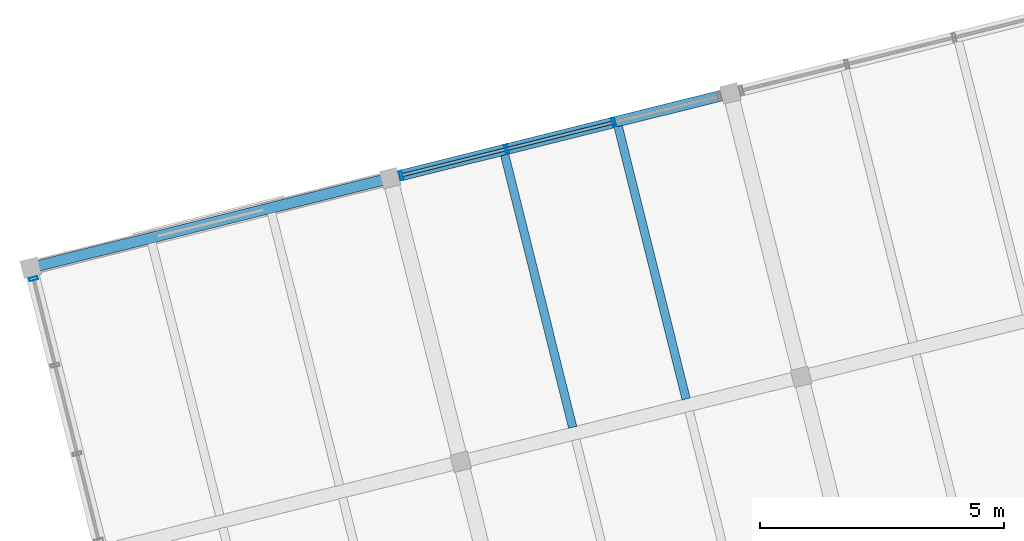
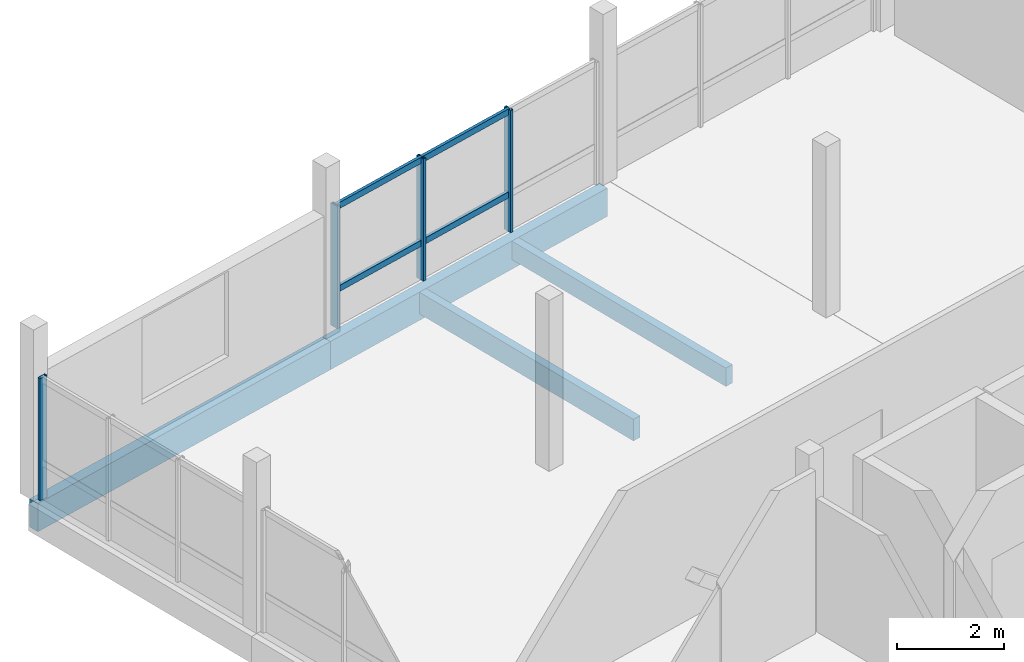
# One storey, part 17 of 28: 8 members, 4 beams, 2 elements without a shape of their own.
"""IFC4 building model written with IfcOpenShell, lengths in metres."""

import ifcopenshell
import ifcopenshell.guid

model = None  # the IFC model being written
_history = None  # IfcOwnerHistory: only IFC2X3 demands one
_inside = {}  # id of a spatial element -> (the spatial element, [elements in it])
_under = {}  # id of a project, library or spatial element -> (it, [spatial elements below it])
_declared = {}  # id of a project -> (the project, [libraries it declares])
_typed = {}  # id of a type object -> (the type object, [elements of that type])
_made_of = {}  # id of a material, layer set ... -> (it, [elements and type objects made of it])


def new_model(schema):
    """Start an empty IFC model of exactly this schema.

    Asked for "IFC4X3", IfcOpenShell would pick the latest addendum, in which some entities
    have other attributes; the version numbers below select the first issue.
    IFC2X3 requires an IfcOwnerHistory on every rooted entity: one is made here for all.
    """
    global model, _history
    if schema == "IFC4X3":
        model = ifcopenshell.file(schema_version=(4, 3, 0, 0))
    else:
        model = ifcopenshell.file(schema=schema)
    _inside.clear()
    _under.clear()
    _declared.clear()
    _typed.clear()
    _made_of.clear()
    _history = None
    if model.schema == "IFC2X3":
        org = make("IfcOrganization", Name="unknown")
        user = make(
            "IfcPersonAndOrganization",
            ThePerson=make("IfcPerson", FamilyName="unknown"),
            TheOrganization=org,
        )
        app = make(
            "IfcApplication",
            ApplicationDeveloper=org,
            Version="unknown",
            ApplicationFullName="unknown",
            ApplicationIdentifier="unknown",
        )
        _history = make(
            "IfcOwnerHistory",
            OwningUser=user,
            OwningApplication=app,
            ChangeAction="ADDED",
            CreationDate=0,
        )
    return model


def make(cls, **values):
    """One entity of the class cls with the attributes given. An attribute that is None is left unset."""
    return model.create_entity(
        cls, **{name: value for name, value in values.items() if value is not None}
    )


def rooted(cls, **values):
    """An entity with a GlobalId (a new one), such as an element, a storey or a relation."""
    return make(cls, GlobalId=ifcopenshell.guid.new(), OwnerHistory=_history, **values)


def si_unit(unit_type, name, prefix=None):
    """IfcSIUnit, for example si_unit("LENGTHUNIT", "METRE", prefix="MILLI")."""
    return make("IfcSIUnit", UnitType=unit_type, Prefix=prefix, Name=name)


def assignment(units):
    """IfcUnitAssignment: the units of a project."""
    return None if units is None else make("IfcUnitAssignment", Units=units)


def point(xyz):
    """IfcCartesianPoint."""
    return None if xyz is None else make("IfcCartesianPoint", Coordinates=xyz)


def direction(xyz):
    """IfcDirection."""
    return None if xyz is None else make("IfcDirection", DirectionRatios=xyz)


def frame(location, z_axis=None, x_axis=None):
    """IfcAxis2Placement3D, a coordinate frame: its origin and axes. An axis left out is left unset."""
    return make(
        "IfcAxis2Placement3D",
        Location=point(location),
        Axis=direction(z_axis),
        RefDirection=direction(x_axis),
    )


def frame_2d(location, x_axis=None):
    """IfcAxis2Placement2D, a coordinate frame in the plane: its origin and x axis."""
    return make(
        "IfcAxis2Placement2D", Location=point(location), RefDirection=direction(x_axis)
    )


def origin():
    """The frame at (0, 0, 0) with its axes left unset."""
    return frame((0.0, 0.0, 0.0))


def origin_2d():
    """The frame at (0, 0) in the plane with its x axis left unset."""
    return frame_2d((0.0, 0.0))


def place(relative_to, where):
    """IfcLocalPlacement: puts the frame where relative to a parent placement (None: the world)."""
    return make(
        "IfcLocalPlacement", PlacementRelTo=relative_to, RelativePlacement=where
    )


def context(
    kind, dimensions, precision=None, world=None, true_north=None, identifier=None
):
    """IfcGeometricRepresentationContext, for example the 3D "Model" context."""
    return make(
        "IfcGeometricRepresentationContext",
        ContextIdentifier=identifier,
        ContextType=kind,
        CoordinateSpaceDimension=dimensions,
        Precision=precision,
        WorldCoordinateSystem=world,
        TrueNorth=true_north,
    )


def subcontext(parent, identifier, kind, view, scale=None):
    """IfcGeometricRepresentationSubContext, for example "Body" below "Model"."""
    return make(
        "IfcGeometricRepresentationSubContext",
        ContextIdentifier=identifier,
        ContextType=kind,
        ParentContext=parent,
        TargetScale=scale,
        TargetView=view,
    )


def project(units=None, contexts=None):
    """IfcProject with its units and contexts."""
    return rooted(
        "IfcProject",
        Name="project",
        RepresentationContexts=contexts,
        UnitsInContext=assignment(units),
    )


def spatial(cls, under=None, at=None, **own):
    """A site, building, storey or space (cls), placed at a placement, below another one or the project."""
    s = rooted(cls, ObjectPlacement=at, **own)
    if under is not None:
        _under.setdefault(under.id(), (under, []))[1].append(s)
    return s


def profile(cls, at=None, kind="AREA", **sizes):
    """A parametric profile (cls). Its sizes go by their IFC names, for example OverallWidth=200.0."""
    return make(cls, ProfileType=kind, Position=at, **sizes)


def rectangle(**sizes):
    """IfcRectangleProfileDef."""
    return profile("IfcRectangleProfileDef", **sizes)


def hollow_rectangle(**sizes):
    """IfcRectangleHollowProfileDef."""
    return profile("IfcRectangleHollowProfileDef", **sizes)


def extrude(swept, where, along, depth):
    """IfcExtrudedAreaSolid: the profile swept, set in the frame where, extruded along a direction by depth."""
    return make(
        "IfcExtrudedAreaSolid",
        SweptArea=swept,
        Position=where,
        ExtrudedDirection=direction(along),
        Depth=depth,
    )


def shape(context_of_items, identifier, shape_type, items):
    """IfcShapeRepresentation: the items that make up one representation, for example the "Body"."""
    return make(
        "IfcShapeRepresentation",
        ContextOfItems=context_of_items,
        RepresentationIdentifier=identifier,
        RepresentationType=shape_type,
        Items=items,
    )


def material(Name=None, Category=None):
    """IfcMaterial."""
    return make("IfcMaterial", Name=Name, Category=Category)


def layer(
    of_material, thickness, ventilated=None, Name=None, Category=None, Priority=None
):
    """IfcMaterialLayer: one layer of a wall or slab, of a material (None: an air gap)."""
    return make(
        "IfcMaterialLayer",
        Material=of_material,
        LayerThickness=thickness,
        IsVentilated=ventilated,
        Name=Name,
        Category=Category,
        Priority=Priority,
    )


def layer_set(layers, Name=None):
    """IfcMaterialLayerSet."""
    return make("IfcMaterialLayerSet", MaterialLayers=layers, LayerSetName=Name)


def material_profile(
    of_material, cross_section, Name=None, Category=None, Priority=None
):
    """IfcMaterialProfile: a cross section and its material."""
    return make(
        "IfcMaterialProfile",
        Name=Name,
        Material=of_material,
        Profile=cross_section,
        Priority=Priority,
        Category=Category,
    )


def profile_set(profiles, Name=None, composite=None):
    """IfcMaterialProfileSet."""
    return make(
        "IfcMaterialProfileSet",
        Name=Name,
        MaterialProfiles=profiles,
        CompositeProfile=composite,
    )


def made_of(thing, what):
    """Note that an element or type object is made of a material, layer set ...; save() writes the relation."""
    if what is not None:
        _made_of.setdefault(what.id(), (what, []))[1].append(thing)
    return thing


def type_object(cls, material=None, **own):
    """A type object (cls), such as IfcWallType, which elements share."""
    return made_of(rooted(cls, **own), material)


def element(
    cls,
    number,
    at=None,
    inside=None,
    cuts=None,
    type_object=None,
    material=None,
    context=None,
    identifier="Body",
    shape_type=None,
    held_by="IfcProductDefinitionShape",
    body=None,
    shapes=None,
    **own,
):
    """One element of the class cls, such as IfcWall. Its Tag is "e" and its number.

    at: its placement. inside: the storey or other place that contains it. cuts: it is an
    opening in that element (IfcRelVoidsElement). A single representation is given by context,
    identifier, shape_type and body (its items); several are given by shapes. held_by: the class
    of the entity that holds the representations. save() writes the other relations.
    """
    e = rooted(cls, Tag="e%d" % number, ObjectPlacement=at, **own)
    if body is not None:
        shapes = [shape(context, identifier, shape_type, body)]
    if shapes is not None:
        e.Representation = make(held_by, Representations=shapes)
    if inside is not None:
        _inside.setdefault(inside.id(), (inside, []))[1].append(e)
    if cuts is not None:
        rooted(
            "IfcRelVoidsElement", RelatingBuildingElement=cuts, RelatedOpeningElement=e
        )
    if type_object is not None:
        _typed.setdefault(type_object.id(), (type_object, []))[1].append(e)
    return made_of(e, material)


def aggregate(whole, parts):
    """IfcRelAggregates: a whole, such as a stair, and the parts it consists of."""
    return rooted("IfcRelAggregates", RelatingObject=whole, RelatedObjects=parts)


def save(model, path):
    """Write the relations noted so far, then the file.

    IfcRelAggregates (storeys below a building ...), IfcRelContainedInSpatialStructure (elements
    in a storey), IfcRelDefinesByType, IfcRelAssociatesMaterial and IfcRelDeclares: one each for
    every whole, place, type object, material and project.
    """
    for whole, parts in _under.values():
        aggregate(whole, parts)
    for where, things in _inside.values():
        rooted(
            "IfcRelContainedInSpatialStructure",
            RelatedElements=things,
            RelatingStructure=where,
        )
    for kind, things in _typed.values():
        rooted("IfcRelDefinesByType", RelatedObjects=things, RelatingType=kind)
    for what, things in _made_of.values():
        rooted("IfcRelAssociatesMaterial", RelatedObjects=things, RelatingMaterial=what)
    for by, libraries in _declared.values():
        rooted("IfcRelDeclares", RelatingContext=by, RelatedDefinitions=libraries)
    model.write(path)


model = new_model("IFC4")

# Units and contexts
model_context = context("Model", 3, precision=1e-05, world=origin(), true_north=direction((0.0, 1.0)))
body_context = subcontext(model_context, "Body", "Model", "MODEL_VIEW")
ifc_project = project(units=[si_unit("LENGTHUNIT", "METRE"), si_unit("AREAUNIT", "SQUARE_METRE"), si_unit("VOLUMEUNIT", "CUBIC_METRE"), si_unit("PLANEANGLEUNIT", "RADIAN"), si_unit("MASSUNIT", "GRAM", prefix="KILO")], contexts=[model_context])

# Site, building, storey
site_placement = place(None, origin())
site = spatial("IfcSite", under=ifc_project, at=site_placement, CompositionType="ELEMENT")
building_placement = place(site_placement, origin())
building = spatial("IfcBuilding", under=site, at=building_placement, Name="Meriwether Solvik Hall", CompositionType="ELEMENT")
storey_placement = place(building_placement, frame((0.0, 0.0, 37.800048828125)))
storey = spatial("IfcBuildingStorey", under=building, at=storey_placement, Name="L09", CompositionType="ELEMENT", Elevation=37.800048828125)

# Beams
ifc_material_1 = material(Name="Glulam Douglas-Fir 24F-V8 GL28h", Category="wood")
ifc_material_profile_1 = material_profile(ifc_material_1, rectangle(XDim=0.221923828125, YDim=0.64501953125, at=origin_2d()), Name="GLB-222X645")
ifc_profile_set_1 = profile_set([ifc_material_profile_1], Name="Glulam Douglas-Fir 24F-V8 GL28h")
beam_type_1 = type_object("IfcBeamType", Name="BM-GL-222X645", PredefinedType="SPANDREL", material=ifc_profile_set_1)
beam_1_placement = place(storey_placement, frame((60.374755859375, 74.18994140625, -0.50244140625), z_axis=(0.970295366785, 0.241923337436, 0.0), x_axis=(-0.241923337436, 0.970295366785, 0.0)))
element("IfcBeam", 1, at=beam_1_placement, inside=storey, type_object=beam_type_1, Name="Tower Girder TF:T1-T2 (L09)", PredefinedType="SPANDREL", context=body_context, shape_type="SweptSolid", body=[
    extrude(rectangle(XDim=0.221923828125, YDim=0.64501953125, at=origin_2d()), origin(), (0.0, 0.0, 1.0), 7.60009765625),
])
beam_2_placement = place(storey_placement, frame((67.7490234375, 76.028564453125, -0.50244140625), z_axis=(0.970291911955, 0.241937193493, 0.0), x_axis=(-0.241937193493, 0.970291911955, 0.0)))
element("IfcBeam", 2, at=beam_2_placement, inside=storey, type_object=beam_type_1, Name="Tower Girder TF:T2-T3 (L09)", PredefinedType="SPANDREL", context=body_context, shape_type="SweptSolid", body=[
    extrude(rectangle(XDim=0.221923828125, YDim=0.64501953125, at=origin_2d()), origin(), (0.0, 0.0, 1.0), 7.199951171875),
])

# Curtain wall, members
ifc_material_2 = material(Name="Thermally Broken Anodised Aluminium 6063-T6 and Low-E Glass", Category="aluminium")
ifc_layer_1 = layer(ifc_material_2, 0.179931640625)
ifc_layer_set_1 = layer_set([ifc_layer_1], Name="Thermally Broken Anodised Aluminium 6063-T6 and Low-E Glass")
curtain_wall_type_1 = type_object("IfcCurtainWallType", Name="CW-UNIT-G", PredefinedType="USERDEFINED", material=ifc_layer_set_1)
curtain_wall_1_placement = place(storey_placement, origin())
curtain_wall_1 = element("IfcCurtainWall", 3, at=curtain_wall_1_placement, inside=storey, type_object=curtain_wall_type_1, Name="Curtain Wall E6_B1 (L09)", ObjectType="UNITISED CURTAIN WALL", PredefinedType="USERDEFINED")
ifc_material_3 = material(Name="Anodised Aluminium 6063-T6", Category="aluminium")
ifc_material_profile_2 = material_profile(ifc_material_3, hollow_rectangle(XDim=0.06494140625, YDim=0.179931640625, WallThickness=0.00439453125, at=origin_2d()), Name="CWM-65X180")
ifc_profile_set_2 = profile_set([ifc_material_profile_2], Name="Anodised Aluminium 6063-T6")
member_type_1 = type_object("IfcMemberType", Name="CW-MUL-65X180", PredefinedType="MULLION", material=ifc_profile_set_2)
member_1_placement = place(storey_placement, frame((67.974609375, 76.0849609375, 0.0), z_axis=(0.0, 0.0, 1.0), x_axis=(0.970295725693, 0.241921897937, 0.0)))
member_1 = element("IfcMember", 4, at=member_1_placement, type_object=member_type_1, Name="Curtain Wall Mullion 1", PredefinedType="MULLION", context=body_context, shape_type="SweptSolid", body=[
    extrude(hollow_rectangle(XDim=0.06494140625, YDim=0.179931640625, WallThickness=0.00439453125, at=origin_2d()), origin(), (0.0, 0.0, 1.0), 2.7900390625),
])
member_2_placement = place(storey_placement, frame((70.140625, 76.625, 0.0), z_axis=(0.0, 0.0, 1.0), x_axis=(0.970295725693, 0.241921897937, 0.0)))
member_2 = element("IfcMember", 5, at=member_2_placement, type_object=member_type_1, Name="Curtain Wall Mullion 2", PredefinedType="MULLION", context=body_context, shape_type="SweptSolid", body=[
    extrude(hollow_rectangle(XDim=0.06494140625, YDim=0.179931640625, WallThickness=0.00439453125, at=origin_2d()), origin(), (0.0, 0.0, 1.0), 2.7900390625),
])
member_3_placement = place(storey_placement, frame((72.343505859375, 77.17431640625, 0.0), z_axis=(0.0, 0.0, 1.0), x_axis=(0.970295725693, 0.241921897937, 0.0)))
member_3 = element("IfcMember", 6, at=member_3_placement, type_object=member_type_1, Name="Curtain Wall Mullion 3", PredefinedType="MULLION", context=body_context, shape_type="SweptSolid", body=[
    extrude(hollow_rectangle(XDim=0.06494140625, YDim=0.179931640625, WallThickness=0.00439453125, at=origin_2d()), origin(), (0.0, 0.0, 1.0), 2.7900390625),
])

# Curtain wall, member
ifc_material_4 = material(Name="Thermally Broken Anodised Aluminium 6063-T6 and Low-E Glass", Category="aluminium")
ifc_layer_2 = layer(ifc_material_4, 0.179931640625)
ifc_layer_set_2 = layer_set([ifc_layer_2], Name="Thermally Broken Anodised Aluminium 6063-T6 and Low-E Glass")
curtain_wall_type_2 = type_object("IfcCurtainWallType", Name="CW-UNIT-D", PredefinedType="USERDEFINED", material=ifc_layer_set_2)
curtain_wall_2_placement = place(storey_placement, origin())
curtain_wall_2 = element("IfcCurtainWall", 7, at=curtain_wall_2_placement, inside=storey, type_object=curtain_wall_type_2, Name="Curtain Wall E7_B4 (L09)", ObjectType="UNITISED CURTAIN WALL", PredefinedType="USERDEFINED")
member_4_placement = place(storey_placement, frame((60.430908203125, 73.96435546875, 0.0), z_axis=(0.0, 0.0, 1.0), x_axis=(-0.241921949893, 0.970295712739, 0.0)))
member_4 = element("IfcMember", 8, at=member_4_placement, type_object=member_type_1, Name="Curtain Wall Mullion 4", PredefinedType="MULLION", context=body_context, shape_type="SweptSolid", body=[
    extrude(hollow_rectangle(XDim=0.06494140625, YDim=0.179931640625, WallThickness=0.00439453125, at=origin_2d()), origin(), (0.0, 0.0, 1.0), 2.7900390625),
])
aggregate(curtain_wall_2, [member_4])

# Member
ifc_material_5 = material(Name="Anodised Aluminium 6063-T6", Category="aluminium")
ifc_material_profile_3 = material_profile(ifc_material_5, hollow_rectangle(XDim=0.06494140625, YDim=0.139892578125, WallThickness=0.00439453125, at=origin_2d()), Name="CWT-65X140")
ifc_profile_set_3 = profile_set([ifc_material_profile_3], Name="Anodised Aluminium 6063-T6")
member_type_2 = type_object("IfcMemberType", Name="CW-TRN-65X140", PredefinedType="USERDEFINED", material=ifc_profile_set_3)
member_5_placement = place(storey_placement, frame((67.974609375, 76.0849609375, 0.8369140625), z_axis=(0.970296702868, 0.241917978668, 0.0), x_axis=(-0.241917978668, 0.970296702868, 0.0)))
member_5 = element("IfcMember", 9, at=member_5_placement, type_object=member_type_2, Name="Curtain Wall Transom 1-sill", ObjectType="TRANSOM", PredefinedType="USERDEFINED", context=body_context, shape_type="SweptSolid", body=[
    extrude(hollow_rectangle(XDim=0.06494140625, YDim=0.139892578125, WallThickness=0.00439453125, at=origin_2d()), origin(), (0.0, 0.0, 1.0), 2.232421875),
])

member_6_placement = place(storey_placement, frame((67.974609375, 76.0849609375, 2.72998046875), z_axis=(0.970296702868, 0.241917978668, 0.0), x_axis=(-0.241917978668, 0.970296702868, 0.0)))
member_6 = element("IfcMember", 10, at=member_6_placement, type_object=member_type_2, Name="Curtain Wall Transom 1-head", ObjectType="TRANSOM", PredefinedType="USERDEFINED", context=body_context, shape_type="SweptSolid", body=[
    extrude(hollow_rectangle(XDim=0.06494140625, YDim=0.139892578125, WallThickness=0.00439453125, at=origin_2d()), origin(), (0.0, 0.0, 1.0), 2.232421875),
])

member_7_placement = place(storey_placement, frame((70.140625, 76.625, 0.8369140625), z_axis=(0.970287814054, 0.241953627576, 0.0), x_axis=(-0.241953627576, 0.970287814054, 0.0)))
member_7 = element("IfcMember", 11, at=member_7_placement, type_object=member_type_2, Name="Curtain Wall Transom 2-sill", ObjectType="TRANSOM", PredefinedType="USERDEFINED", context=body_context, shape_type="SweptSolid", body=[
    extrude(hollow_rectangle(XDim=0.06494140625, YDim=0.139892578125, WallThickness=0.00439453125, at=origin_2d()), origin(), (0.0, 0.0, 1.0), 2.270263671875),
])

member_8_placement = place(storey_placement, frame((70.140625, 76.625, 2.72998046875), z_axis=(0.970287814054, 0.241953627576, 0.0), x_axis=(-0.241953627576, 0.970287814054, 0.0)))
member_8 = element("IfcMember", 12, at=member_8_placement, type_object=member_type_2, Name="Curtain Wall Transom 2-head", ObjectType="TRANSOM", PredefinedType="USERDEFINED", context=body_context, shape_type="SweptSolid", body=[
    extrude(hollow_rectangle(XDim=0.06494140625, YDim=0.139892578125, WallThickness=0.00439453125, at=origin_2d()), origin(), (0.0, 0.0, 1.0), 2.270263671875),
])

aggregate(curtain_wall_1, [member_1, member_2, member_3, member_5, member_6, member_7, member_8])

# Beams
ifc_material_6 = material(Name="Glulam Douglas-Fir 24F-V8 GL28h", Category="wood")
ifc_material_profile_4 = material_profile(ifc_material_6, rectangle(XDim=0.175048828125, YDim=0.419921875, at=origin_2d()), Name="GLJ-175X420")
ifc_profile_set_4 = profile_set([ifc_material_profile_4], Name="Glulam Douglas-Fir 24F-V8 GL28h")
beam_type_2 = type_object("IfcBeamType", Name="JST-GL-175X420", PredefinedType="JOIST", material=ifc_profile_set_4)
beam_3_placement = place(storey_placement, frame((73.825927734375, 71.49560546875, -0.39013671875), z_axis=(-0.241917511092, 0.970296819446, 0.0), x_axis=(-0.970296819446, -0.241917511092, 0.0)))
element("IfcBeam", 13, at=beam_3_placement, inside=storey, type_object=beam_type_2, Name="Glulam Floor Joist T2/TE-J2 (L09)", PredefinedType="JOIST", context=body_context, shape_type="SweptSolid", body=[
    extrude(rectangle(XDim=0.175048828125, YDim=0.419921875, at=origin_2d()), origin(), (0.0, 0.0, 1.0), 5.762451171875),
])
ifc_material_7 = material(Name="Glulam Douglas-Fir 24F-V8 GL28h", Category="wood")
ifc_material_profile_5 = material_profile(ifc_material_7, rectangle(XDim=0.175048828125, YDim=0.4951171875, at=origin_2d()), Name="GLJ-175X495")
ifc_profile_set_5 = profile_set([ifc_material_profile_5], Name="Glulam Douglas-Fir 24F-V8 GL28h")
beam_type_3 = type_object("IfcBeamType", Name="JST-GL-175X495", PredefinedType="JOIST", material=ifc_profile_set_5)
beam_4_placement = place(storey_placement, frame((71.497314453125, 70.9150390625, -0.427490234375), z_axis=(-0.241917511092, 0.970296819446, 0.0), x_axis=(-0.970296819446, -0.241917511092, 0.0)))
element("IfcBeam", 14, at=beam_4_placement, inside=storey, type_object=beam_type_3, Name="Glulam Floor Joist T2/TE-J1 (L09)", PredefinedType="JOIST", context=body_context, shape_type="SweptSolid", body=[
    extrude(rectangle(XDim=0.175048828125, YDim=0.4951171875, at=origin_2d()), origin(), (0.0, 0.0, 1.0), 5.762451171875),
])

save(model, "model.ifc")
